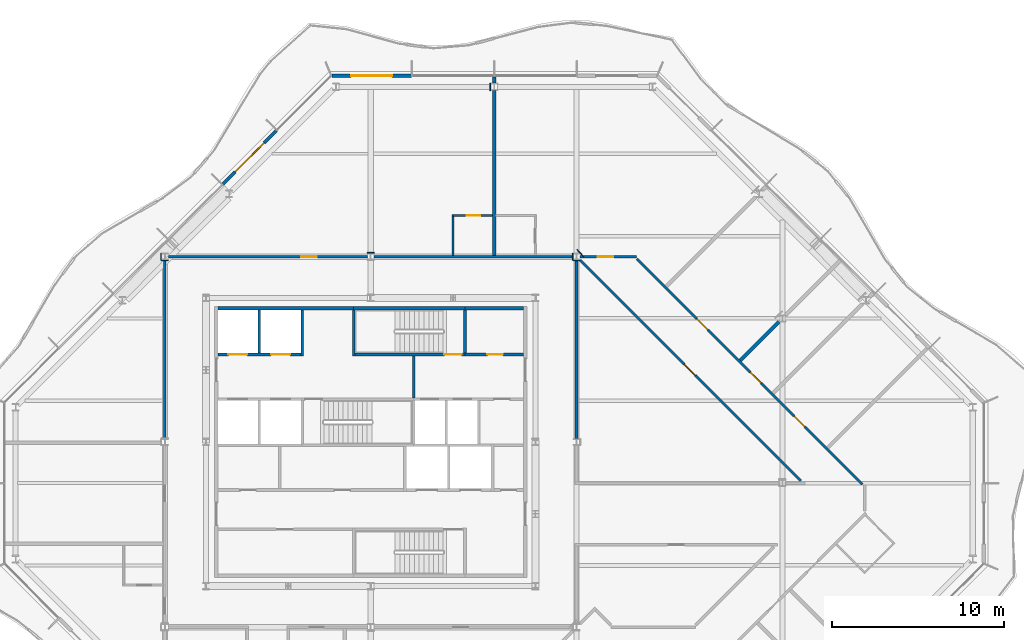
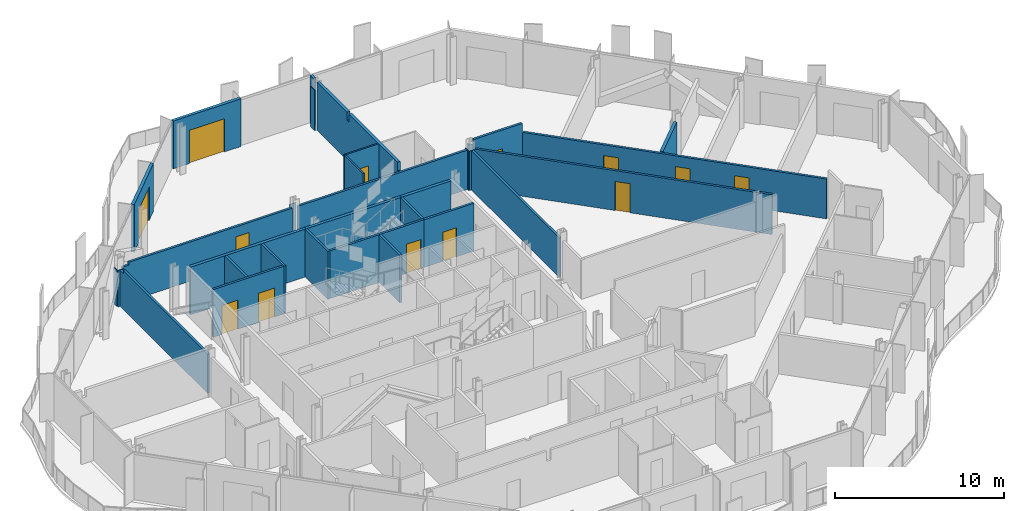
# One storey, part 11 of 17: 32 walls, 13 doors, 13 openings.
"""IFC4 building model written with IfcOpenShell, lengths in metres."""

from ifc_helpers import new_model, si_unit, direction, frame, frame_2d, origin, place, context, subcontext, project, spatial, polyline, rectangle, outline, extrude, material, layer, layer_set, type_object, element, fill, save


model = new_model("IFC4")

# Units and contexts
model_context = context("Model", 3, precision=1e-05, world=origin(), true_north=direction((0.0, 1.0)))
body_context = subcontext(model_context, "Body", "Model", "MODEL_VIEW")
ifc_project = project(units=[si_unit("LENGTHUNIT", "METRE"), si_unit("AREAUNIT", "SQUARE_METRE"), si_unit("VOLUMEUNIT", "CUBIC_METRE"), si_unit("PLANEANGLEUNIT", "RADIAN"), si_unit("MASSUNIT", "GRAM", prefix="KILO")], contexts=[model_context])

# Site, building, storey
site_placement = place(None, origin())
site = spatial("IfcSite", under=ifc_project, at=site_placement, CompositionType="ELEMENT")
building_placement = place(site_placement, origin())
building = spatial("IfcBuilding", under=site, at=building_placement, Name="Cairn Pilgrim Tower", CompositionType="ELEMENT")
storey_placement = place(building_placement, frame((0.0, 0.0, 214.199951171875)))
storey = spatial("IfcBuildingStorey", under=building, at=storey_placement, Name="L54", CompositionType="ELEMENT", Elevation=214.199951171875)

# Wall, opening, door
ifc_material_1 = material(Name="Bronze anodised aluminium insulated sandwich panel with mineral wool fill", Category="aluminium")
ifc_layer_1 = layer(ifc_material_1, 0.199951171875)
ifc_layer_set_1 = layer_set([ifc_layer_1], Name="BRONZE INFILL FRAME WALL 200")
wall_type_1 = type_object("IfcWallType", Name="BRONZE INFILL FRAME WALL 200", PredefinedType="NOTDEFINED", material=ifc_layer_set_1)
wall_1_placement = place(storey_placement, frame((9.570068359375, 23.75, 0.0), z_axis=(0.0, 0.0, 1.0), x_axis=(-1.0, 0.0, 0.0)))
wall_1 = element("IfcWall", 1, at=wall_1_placement, inside=storey, type_object=wall_type_1, Name="Bronze infill frame wall IW-N4", PredefinedType="NOTDEFINED", context=body_context, shape_type="SweptSolid", body=[
    extrude(rectangle(XDim=4.62646484375, YDim=0.199951171875, at=frame_2d((2.313232421875, 0.0))), origin(), (0.0, 0.0, 1.0), 3.449951171875),
])
opening_1_placement = place(wall_1_placement, frame((1.117919921875, 0.0, 0.0)))
opening_1 = element("IfcOpeningElement", 2, at=opening_1_placement, cuts=wall_1, Name="Opening 5409B", PredefinedType="OPENING", context=body_context, shape_type="SweptSolid", body=[
    extrude(rectangle(XDim=2.39990234375, YDim=2.39990234375, at=frame_2d((1.199951171875, 1.199951171875))), frame((0.0, 0.10986328125, 0.0), z_axis=(0.0, -1.0, 0.0), x_axis=(1.0, 0.0, 0.0)), (0.0, 0.0, 1.0), 0.219970703125),
])
ifc_material_2 = material(Name="Bronze anodised aluminium frame with tinted low-E glass", Category="aluminium")
door_type_1 = type_object("IfcDoorType", Name="BALCONY SLIDING DOOR 2400x2400", OperationType="DOUBLE_DOOR_SLIDING", PredefinedType="DOOR", material=ifc_material_2)
door_1_placement = place(opening_1_placement, origin())
door_1 = element("IfcDoor", 3, at=door_1_placement, inside=storey, type_object=door_type_1, Name="Balcony sliding door 5409B", OperationType="SINGLE_SWING_LEFT", OverallHeight=2.39990234375, OverallWidth=2.39990234375, PredefinedType="DOOR", context=body_context, shape_type="SweptSolid", body=[
    extrude(rectangle(XDim=2.39990234375, YDim=2.39990234375, at=frame_2d((1.199951171875, 1.199951171875))), frame((0.0, 0.02490234375, 0.0), z_axis=(0.0, -1.0, 0.0), x_axis=(1.0, 0.0, 0.0)), (0.0, 0.0, 1.0), 0.050048828125),
])
fill(opening_1, door_1)

wall_2_placement = place(storey_placement, frame((1.706787109375, 20.55322265625, 0.0), z_axis=(0.0, 0.0, 1.0), x_axis=(-0.707106781187, -0.707106781187, 0.0)))
wall_2 = element("IfcWall", 4, at=wall_2_placement, inside=storey, type_object=wall_type_1, Name="Bronze infill frame wall IW-NW2", PredefinedType="NOTDEFINED", context=body_context, shape_type="SweptSolid", body=[
    extrude(rectangle(XDim=4.43115234375, YDim=0.199951171875, at=frame_2d((2.215576171875, 0.0))), origin(), (0.0, 0.0, 1.0), 3.449951171875),
])
opening_2_placement = place(wall_2_placement, frame((1.015380859375, 0.0, 0.0)))
opening_2 = element("IfcOpeningElement", 5, at=opening_2_placement, cuts=wall_2, Name="Opening 5409B2", PredefinedType="OPENING", context=body_context, shape_type="SweptSolid", body=[
    extrude(rectangle(XDim=2.39990234375, YDim=2.39990234375, at=frame_2d((1.199951171875, 1.199951171875))), frame((0.0, 0.10986328125, 0.0), z_axis=(0.0, -1.0, 0.0), x_axis=(1.0, 0.0, 0.0)), (0.0, 0.0, 1.0), 0.219970703125),
])
door_2_placement = place(opening_2_placement, origin())
door_2 = element("IfcDoor", 6, at=door_2_placement, inside=storey, type_object=door_type_1, Name="Balcony sliding door 5409B2", OperationType="SINGLE_SWING_LEFT", OverallHeight=2.39990234375, OverallWidth=2.39990234375, PredefinedType="DOOR", context=body_context, shape_type="SweptSolid", body=[
    extrude(rectangle(XDim=2.39990234375, YDim=2.39990234375, at=frame_2d((1.199951171875, 1.199951171875))), frame((0.0, 0.02490234375, 0.0), z_axis=(0.0, -1.0, 0.0), x_axis=(1.0, 0.0, 0.0)), (0.0, 0.0, 1.0), 0.050048828125),
])
fill(opening_2, door_2)

# Walls
ifc_material_3 = material(Name="Concrete C32/40", Category="concrete")
ifc_layer_2 = layer(ifc_material_3, 0.199951171875)
ifc_layer_set_2 = layer_set([ifc_layer_2], Name="CORE OUTER WALL 200 EI 120")
wall_type_2 = type_object("IfcWallType", Name="CORE OUTER WALL 200 EI 120", PredefinedType="SOLIDWALL", material=ifc_layer_set_2)
wall_3_placement = place(storey_placement, frame((-1.699951171875, 10.199951171875, 0.0), z_axis=(0.0, 0.0, 1.0), x_axis=(1.0, 0.0, 0.0)))
element("IfcWall", 7, at=wall_3_placement, inside=storey, type_object=wall_type_2, Name="CW:L54:H12-1", PredefinedType="SOLIDWALL", context=body_context, shape_type="SweptSolid", body=[
    extrude(rectangle(XDim=7.89990234375, YDim=0.199951171875, at=frame_2d((3.949951171875, 0.0))), origin(), (0.0, 0.0, 1.0), 3.449951171875),
])
wall_4_placement = place(storey_placement, frame((12.699951171875, 10.199951171875, 0.0), z_axis=(0.0, 0.0, 1.0), x_axis=(1.0, 0.0, 0.0)))
element("IfcWall", 8, at=wall_4_placement, inside=storey, type_object=wall_type_2, Name="CW:L54:H12-3", PredefinedType="SOLIDWALL", context=body_context, shape_type="SweptSolid", body=[
    extrude(rectangle(XDim=3.400146484375, YDim=0.199951171875, at=frame_2d((1.7001953125, 0.0))), origin(), (0.0, 0.0, 1.0), 3.449951171875),
])

# Wall, openings, doors
ifc_layer_3 = layer(ifc_material_3, 0.14990234375)
ifc_layer_set_3 = layer_set([ifc_layer_3], Name="CORE SHAFT WALL 150 EI 120")
wall_type_3 = type_object("IfcWallType", Name="CORE SHAFT WALL 150 EI 120", PredefinedType="SOLIDWALL", material=ifc_layer_set_3)
wall_5_placement = place(storey_placement, frame((-1.699951171875, 7.5, 0.0), z_axis=(0.0, 0.0, 1.0), x_axis=(1.0, 0.0, 0.0)))
wall_5 = element("IfcWall", 9, at=wall_5_placement, inside=storey, type_object=wall_type_3, Name="CW:L54:H10", PredefinedType="SOLIDWALL", context=body_context, shape_type="SweptSolid", body=[
    extrude(rectangle(XDim=4.824951171875, YDim=0.14990234375, at=frame_2d((2.41259765625, 0.0))), origin(), (0.0, 0.0, 1.0), 3.449951171875),
])
opening_3_placement = place(wall_5_placement, frame((0.60009765625, 0.0, 0.0)))
opening_3 = element("IfcOpeningElement", 10, at=opening_3_placement, cuts=wall_5, Name="Opening LD-HR3", PredefinedType="OPENING", context=body_context, shape_type="SweptSolid", body=[
    extrude(rectangle(XDim=1.10009765625, YDim=2.10009765625, at=frame_2d((0.550048828125, 1.050048828125))), frame((0.0, 0.0849609375, 0.0), z_axis=(0.0, -1.0, 0.0), x_axis=(1.0, 0.0, 0.0)), (0.0, 0.0, 1.0), 0.169921875),
])
opening_4_placement = place(wall_5_placement, frame((3.10009765625, 0.0, 0.0)))
opening_4 = element("IfcOpeningElement", 11, at=opening_4_placement, cuts=wall_5, Name="Opening LD-HR4", PredefinedType="OPENING", context=body_context, shape_type="SweptSolid", body=[
    extrude(rectangle(XDim=1.10009765625, YDim=2.10009765625, at=frame_2d((0.550048828125, 1.050048828125))), frame((0.0, 0.0849609375, 0.0), z_axis=(0.0, -1.0, 0.0), x_axis=(1.0, 0.0, 0.0)), (0.0, 0.0, 1.0), 0.169921875),
])
ifc_material_4 = material(Name="Stainless steel", Category="steel")
door_type_2 = type_object("IfcDoorType", Name="LIFT LANDING DOOR 1100x2100", OperationType="DOUBLE_DOOR_SLIDING", PredefinedType="DOOR", material=ifc_material_4)
door_3_placement = place(opening_3_placement, origin())
door_3 = element("IfcDoor", 12, at=door_3_placement, inside=storey, type_object=door_type_2, Name="LANDING DOOR HR3", OperationType="DOUBLE_DOOR_SLIDING", OverallHeight=2.10009765625, OverallWidth=1.10009765625, PredefinedType="DOOR", context=body_context, shape_type="SweptSolid", body=[
    extrude(rectangle(XDim=1.10009765625, YDim=2.10009765625, at=frame_2d((0.550048828125, 1.050048828125))), frame((0.0, 0.02490234375, 0.0), z_axis=(0.0, -1.0, 0.0), x_axis=(1.0, 0.0, 0.0)), (0.0, 0.0, 1.0), 0.050048828125),
])
fill(opening_3, door_3)
door_4_placement = place(opening_4_placement, origin())
door_4 = element("IfcDoor", 13, at=door_4_placement, inside=storey, type_object=door_type_2, Name="LANDING DOOR HR4", OperationType="DOUBLE_DOOR_SLIDING", OverallHeight=2.10009765625, OverallWidth=1.10009765625, PredefinedType="DOOR", context=body_context, shape_type="SweptSolid", body=[
    extrude(rectangle(XDim=1.10009765625, YDim=2.10009765625, at=frame_2d((0.550048828125, 1.050048828125))), frame((0.0, 0.02490234375, 0.0), z_axis=(0.0, -1.0, 0.0), x_axis=(1.0, 0.0, 0.0)), (0.0, 0.0, 1.0), 0.050048828125),
])
fill(opening_4, door_4)

# Wall, opening, door
wall_6_placement = place(storey_placement, frame((12.699951171875, 7.5, 0.0), z_axis=(0.0, 0.0, 1.0), x_axis=(1.0, 0.0, 0.0)))
wall_6 = element("IfcWall", 14, at=wall_6_placement, inside=storey, type_object=wall_type_3, Name="CW:L54:H11-2", PredefinedType="SOLIDWALL", context=body_context, shape_type="SweptSolid", body=[
    extrude(rectangle(XDim=3.400146484375, YDim=0.14990234375, at=frame_2d((1.7001953125, 0.0))), origin(), (0.0, 0.0, 1.0), 3.449951171875),
])
opening_5_placement = place(wall_6_placement, frame((1.300048828125, 0.0, 0.0)))
opening_5 = element("IfcOpeningElement", 15, at=opening_5_placement, cuts=wall_6, Name="Opening RD-R4E", PredefinedType="OPENING", context=body_context, shape_type="SweptSolid", body=[
    extrude(rectangle(XDim=0.89990234375, YDim=2.10009765625, at=frame_2d((0.449951171875, 1.050048828125))), frame((0.0, 0.0849609375, 0.0), z_axis=(0.0, -1.0, 0.0), x_axis=(1.0, 0.0, 0.0)), (0.0, 0.0, 1.0), 0.169921875),
])
ifc_material_5 = material(Name="Painted steel", Category="steel")
door_type_3 = type_object("IfcDoorType", Name="SERVICE ROOM DOOR 900x2100", OperationType="SINGLE_SWING_LEFT", PredefinedType="DOOR", material=ifc_material_5)
door_5_placement = place(opening_5_placement, origin())
door_5 = element("IfcDoor", 16, at=door_5_placement, inside=storey, type_object=door_type_3, Name="RD-R4E", OperationType="SINGLE_SWING_RIGHT", OverallHeight=2.10009765625, OverallWidth=0.89990234375, PredefinedType="DOOR", context=body_context, shape_type="SweptSolid", body=[
    extrude(rectangle(XDim=0.89990234375, YDim=2.10009765625, at=frame_2d((0.449951171875, 1.050048828125))), frame((0.0, 0.02490234375, 0.0), z_axis=(0.0, -1.0, 0.0), x_axis=(1.0, 0.0, 0.0)), (0.0, 0.0, 1.0), 0.050048828125),
])
fill(opening_5, door_5)

# Walls
wall_7_placement = place(storey_placement, frame((0.699951171875, 7.574951171875, 0.0), z_axis=(0.0, 0.0, 1.0), x_axis=(0.0, 1.0, 0.0)))
element("IfcWall", 17, at=wall_7_placement, inside=storey, type_object=wall_type_3, Name="CW:L54:V15", PredefinedType="SOLIDWALL", context=body_context, shape_type="SweptSolid", body=[
    extrude(rectangle(XDim=2.525146484375, YDim=0.14990234375, at=frame_2d((1.2626953125, 0.0))), origin(), (0.0, 0.0, 1.0), 3.449951171875),
])
wall_8_placement = place(storey_placement, frame((3.199951171875, 7.425048828125, 0.0), z_axis=(0.0, 0.0, 1.0), x_axis=(0.0, 1.0, 0.0)))
element("IfcWall", 18, at=wall_8_placement, inside=storey, type_object=wall_type_3, Name="CW:L54:V18", PredefinedType="SOLIDWALL", context=body_context, shape_type="SweptSolid", body=[
    extrude(rectangle(XDim=2.675048828125, YDim=0.14990234375, at=frame_2d((1.33740234375, 0.0))), origin(), (0.0, 0.0, 1.0), 3.449951171875),
])
wall_9_placement = place(storey_placement, frame((9.699951171875, 4.97509765625, 0.0), z_axis=(0.0, 0.0, 1.0), x_axis=(0.0, 1.0, 0.0)))
element("IfcWall", 19, at=wall_9_placement, inside=storey, type_object=wall_type_3, Name="CW:L54:V23", PredefinedType="SOLIDWALL", context=body_context, shape_type="SweptSolid", body=[
    extrude(rectangle(XDim=2.449951171875, YDim=0.14990234375, at=frame_2d((1.22509765625, 0.0))), origin(), (0.0, 0.0, 1.0), 3.449951171875),
])
ifc_material_6 = material(Name="Gypsum partition")
ifc_layer_4 = layer(ifc_material_6, 0.10009765625)
ifc_layer_set_4 = layer_set([ifc_layer_4], Name="PARTITION 100 DRYWALL")
wall_type_4 = type_object("IfcWallType", Name="PARTITION 100 DRYWALL", PredefinedType="PARTITIONING", material=ifc_layer_set_4)
wall_10_placement = place(storey_placement, frame((12.0, 13.27490234375, 0.0), z_axis=(0.0, 0.0, 1.0), x_axis=(0.0, 1.0, 0.0)))
element("IfcWall", 20, at=wall_10_placement, inside=storey, type_object=wall_type_4, Name="PARTITION W069", PredefinedType="PARTITIONING", context=body_context, shape_type="SweptSolid", body=[
    extrude(outline(polyline([(0.0, 0.0), (2.275146484375, 0.0), (2.27490234375, 3.449951171875), (0.074951171875, 3.449951171875), (0.072998046875, 2.830078125), (0.0, 2.830078125), (0.0, 0.0)])), frame((0.0, 0.050048828125, 0.0), z_axis=(0.0, -1.0, 0.0), x_axis=(1.0, 0.0, 0.0)), (0.0, 0.0, 1.0), 0.10009765625),
])

# Wall, opening, door
wall_11_placement = place(storey_placement, frame((11.949951171875, 15.60009765625, 0.0), z_axis=(0.0, 0.0, 1.0), x_axis=(1.0, 0.0, 0.0)))
wall_11 = element("IfcWall", 21, at=wall_11_placement, inside=storey, type_object=wall_type_4, Name="PARTITION W072", PredefinedType="PARTITIONING", context=body_context, shape_type="SweptSolid", body=[
    extrude(rectangle(XDim=2.35009765625, YDim=0.10009765625, at=frame_2d((1.175048828125, 0.0))), origin(), (0.0, 0.0, 1.0), 3.449951171875),
])
opening_6_placement = place(wall_11_placement, frame((0.85009765625, 0.0, 0.0)))
opening_6 = element("IfcOpeningElement", 22, at=opening_6_placement, cuts=wall_11, Name="Opening 5409A", PredefinedType="OPENING", context=body_context, shape_type="SweptSolid", body=[
    extrude(rectangle(XDim=0.800048828125, YDim=2.10009765625, at=frame_2d((0.39990234375, 1.050048828125))), frame((0.0, 0.06005859375, 0.0), z_axis=(0.0, -1.0, 0.0), x_axis=(1.0, 0.0, 0.0)), (0.0, 0.0, 1.0), 0.1201171875),
])
ifc_material_7 = material(Name="Timber door leaf", Category="wood")
door_type_4 = type_object("IfcDoorType", Name="WC DOOR 800x2100", OperationType="NOTDEFINED", PredefinedType="DOOR", material=ifc_material_7)
door_6_placement = place(opening_6_placement, origin())
door_6 = element("IfcDoor", 23, at=door_6_placement, inside=storey, type_object=door_type_4, Name="DOOR 5409A", OperationType="SINGLE_SWING_LEFT", OverallHeight=2.10009765625, OverallWidth=0.800048828125, PredefinedType="DOOR", context=body_context, shape_type="SweptSolid", body=[
    extrude(rectangle(XDim=0.800048828125, YDim=2.10009765625, at=frame_2d((0.39990234375, 1.050048828125))), frame((0.0, 0.02490234375, 0.0), z_axis=(0.0, -1.0, 0.0), x_axis=(1.0, 0.0, 0.0)), (0.0, 0.0, 1.0), 0.050048828125),
])
fill(opening_6, door_6)

# Wall, openings, doors
ifc_layer_5 = layer(ifc_material_6, 0.14990234375)
ifc_layer_set_5 = layer_set([ifc_layer_5], Name="PARTITION 150 DRYWALL EI 60")
wall_type_5 = type_object("IfcWallType", Name="PARTITION 150 DRYWALL EI 60", PredefinedType="PARTITIONING", material=ifc_layer_set_5)
wall_12_placement = place(storey_placement, frame((35.8720703125, -0.077880859375, 0.0), z_axis=(0.0, 0.0, 1.0), x_axis=(-0.707113345155, 0.707100217157, 0.0)))
wall_12 = element("IfcWall", 24, at=wall_12_placement, inside=storey, type_object=wall_type_5, Name="PARTITION W052", PredefinedType="PARTITIONING", context=body_context, shape_type="SweptSolid", body=[
    extrude(rectangle(XDim=18.596923828125, YDim=0.14990234375, at=frame_2d((9.29833984375, 0.0))), origin(), (0.0, 0.0, 1.0), 2.880126953125),
])
opening_7_placement = place(wall_12_placement, frame((4.743896484375, 0.0, 0.0)))
opening_7 = element("IfcOpeningElement", 25, at=opening_7_placement, cuts=wall_12, Name="Opening 5405", PredefinedType="OPENING", context=body_context, shape_type="SweptSolid", body=[
    extrude(rectangle(XDim=0.89990234375, YDim=2.10009765625, at=frame_2d((0.449951171875, 1.050048828125))), frame((0.0, 0.0849609375, 0.0), z_axis=(0.0, -1.0, 0.0), x_axis=(1.0, 0.0, 0.0)), (0.0, 0.0, 1.0), 0.169921875),
])
opening_8_placement = place(wall_12_placement, frame((8.344970703125, 0.0, 0.0)))
opening_8 = element("IfcOpeningElement", 26, at=opening_8_placement, cuts=wall_12, Name="Opening 5406", PredefinedType="OPENING", context=body_context, shape_type="SweptSolid", body=[
    extrude(rectangle(XDim=0.89990234375, YDim=2.10009765625, at=frame_2d((0.449951171875, 1.050048828125))), frame((0.0, 0.0849609375, 0.0), z_axis=(0.0, -1.0, 0.0), x_axis=(1.0, 0.0, 0.0)), (0.0, 0.0, 1.0), 0.169921875),
])
opening_9_placement = place(wall_12_placement, frame((12.74609375, 0.0, 0.0)))
opening_9 = element("IfcOpeningElement", 27, at=opening_9_placement, cuts=wall_12, Name="Opening 5407", PredefinedType="OPENING", context=body_context, shape_type="SweptSolid", body=[
    extrude(rectangle(XDim=0.89990234375, YDim=2.10009765625, at=frame_2d((0.449951171875, 1.050048828125))), frame((0.0, 0.0849609375, 0.0), z_axis=(0.0, -1.0, 0.0), x_axis=(1.0, 0.0, 0.0)), (0.0, 0.0, 1.0), 0.169921875),
])
door_type_5 = type_object("IfcDoorType", Name="SERVICE DOOR 900x2100 FD30S", OperationType="NOTDEFINED", PredefinedType="DOOR", material=ifc_material_7)
door_7_placement = place(opening_7_placement, frame((0.89990234375, 0.0, 0.0), z_axis=(0.0, 0.0, 1.0), x_axis=(-1.0, 0.0, 0.0)))
door_7 = element("IfcDoor", 28, at=door_7_placement, inside=storey, type_object=door_type_5, Name="DOOR 5405", OperationType="SINGLE_SWING_LEFT", OverallHeight=2.10009765625, OverallWidth=0.89990234375, PredefinedType="DOOR", context=body_context, shape_type="SweptSolid", body=[
    extrude(rectangle(XDim=0.89990234375, YDim=2.10009765625, at=frame_2d((0.449951171875, 1.050048828125))), frame((0.0, 0.02490234375, 0.0), z_axis=(0.0, -1.0, 0.0), x_axis=(1.0, 0.0, 0.0)), (0.0, 0.0, 1.0), 0.050048828125),
])
fill(opening_7, door_7)
door_8_placement = place(opening_8_placement, frame((0.89990234375, 0.0, 0.0), z_axis=(0.0, 0.0, 1.0), x_axis=(-1.0, 0.0, 0.0)))
door_8 = element("IfcDoor", 29, at=door_8_placement, inside=storey, type_object=door_type_5, Name="DOOR 5406", OperationType="SINGLE_SWING_LEFT", OverallHeight=2.10009765625, OverallWidth=0.89990234375, PredefinedType="DOOR", context=body_context, shape_type="SweptSolid", body=[
    extrude(rectangle(XDim=0.89990234375, YDim=2.10009765625, at=frame_2d((0.449951171875, 1.050048828125))), frame((0.0, 0.02490234375, 0.0), z_axis=(0.0, -1.0, 0.0), x_axis=(1.0, 0.0, 0.0)), (0.0, 0.0, 1.0), 0.050048828125),
])
fill(opening_8, door_8)
door_9_placement = place(opening_9_placement, frame((0.89990234375, 0.0, 0.0), z_axis=(0.0, 0.0, 1.0), x_axis=(-1.0, 0.0, 0.0)))
door_9 = element("IfcDoor", 30, at=door_9_placement, inside=storey, type_object=door_type_5, Name="DOOR 5407", OperationType="SINGLE_SWING_LEFT", OverallHeight=2.10009765625, OverallWidth=0.89990234375, PredefinedType="DOOR", context=body_context, shape_type="SweptSolid", body=[
    extrude(rectangle(XDim=0.89990234375, YDim=2.10009765625, at=frame_2d((0.449951171875, 1.050048828125))), frame((0.0, 0.02490234375, 0.0), z_axis=(0.0, -1.0, 0.0), x_axis=(1.0, 0.0, 0.0)), (0.0, 0.0, 1.0), 0.050048828125),
])
fill(opening_9, door_9)

# Wall, opening, door
wall_13_placement = place(storey_placement, frame((32.27197265625, 0.1279296875, 0.0), z_axis=(0.0, 0.0, 1.0), x_axis=(-0.707106781187, 0.707106781187, 0.0)))
wall_13 = element("IfcWall", 31, at=wall_13_placement, inside=storey, type_object=wall_type_5, Name="PARTITION W056", PredefinedType="PARTITIONING", context=body_context, shape_type="SweptSolid", body=[
    extrude(rectangle(XDim=18.20654296875, YDim=0.14990234375, at=frame_2d((9.103271484375, 0.0))), origin(), (0.0, 0.0, 1.0), 2.880126953125),
])
opening_10_placement = place(wall_13_placement, frame((8.702880859375, 0.0, 0.0)))
opening_10 = element("IfcOpeningElement", 32, at=opening_10_placement, cuts=wall_13, Name="Opening 5419", PredefinedType="OPENING", context=body_context, shape_type="SweptSolid", body=[
    extrude(rectangle(XDim=0.89990234375, YDim=2.10009765625, at=frame_2d((0.449951171875, 1.050048828125))), frame((0.0, 0.0849609375, 0.0), z_axis=(0.0, -1.0, 0.0), x_axis=(1.0, 0.0, 0.0)), (0.0, 0.0, 1.0), 0.169921875),
])
door_10_placement = place(opening_10_placement, origin())
door_10 = element("IfcDoor", 33, at=door_10_placement, inside=storey, type_object=door_type_5, Name="DOOR 5419", OperationType="SINGLE_SWING_RIGHT", OverallHeight=2.10009765625, OverallWidth=0.89990234375, PredefinedType="DOOR", context=body_context, shape_type="SweptSolid", body=[
    extrude(rectangle(XDim=0.89990234375, YDim=2.10009765625, at=frame_2d((0.449951171875, 1.050048828125))), frame((0.0, 0.02490234375, 0.0), z_axis=(0.0, -1.0, 0.0), x_axis=(1.0, 0.0, 0.0)), (0.0, 0.0, 1.0), 0.050048828125),
])
fill(opening_10, door_10)

# Walls
wall_14_placement = place(storey_placement, frame((-4.800048828125, 2.596435546875, 0.0), z_axis=(0.0, 0.0, 1.0), x_axis=(0.0, 1.0, 0.0)))
element("IfcWall", 34, at=wall_14_placement, inside=storey, type_object=wall_type_5, Name="PARTITION W059", PredefinedType="PARTITIONING", context=body_context, shape_type="SweptSolid", body=[
    extrude(outline(polyline([(0.0, 0.0), (10.406982421875, 0.0), (10.406982421875, 2.630126953125), (9.960693359375, 2.630126953125), (9.958740234375, 2.830078125), (0.0, 2.830078125), (0.0, 0.0)])), frame((0.0, 0.074951171875, 0.0), z_axis=(0.0, -1.0, 0.0), x_axis=(1.0, 0.0, 0.0)), (0.0, 0.0, 1.0), 0.14990234375),
])
wall_15_placement = place(storey_placement, frame((19.199951171875, 2.596435546875, 0.0), z_axis=(0.0, 0.0, 1.0), x_axis=(0.0, 1.0, 0.0)))
element("IfcWall", 35, at=wall_15_placement, inside=storey, type_object=wall_type_5, Name="PARTITION W060", PredefinedType="PARTITIONING", context=body_context, shape_type="SweptSolid", body=[
    extrude(rectangle(XDim=10.406982421875, YDim=0.14990234375, at=frame_2d((5.20361328125, 0.0))), origin(), (0.0, 0.0, 1.0), 2.830078125),
])

# Wall, opening, door
wall_16_placement = place(storey_placement, frame((-4.6005859375, 13.199951171875, 0.0), z_axis=(0.0, 0.0, 1.0), x_axis=(1.0, 0.0, 0.0)))
wall_16 = element("IfcWall", 36, at=wall_16_placement, inside=storey, type_object=wall_type_5, Name="PARTITION W066", PredefinedType="PARTITIONING", context=body_context, shape_type="SweptSolid", body=[
    extrude(outline(polyline([(0.0, 0.0), (11.60107421875, 0.0), (11.60107421875, 2.830078125), (0.443359375, 2.830078125), (0.44140625, 2.630126953125), (0.0, 2.630126953125), (0.0, 0.0)])), frame((0.0, 0.074951171875, 0.0), z_axis=(0.0, -1.0, 0.0), x_axis=(1.0, 0.0, 0.0)), (0.0, 0.0, 1.0), 0.14990234375),
])
opening_11_placement = place(wall_16_placement, frame((7.75048828125, 0.0, 0.0)))
opening_11 = element("IfcOpeningElement", 37, at=opening_11_placement, cuts=wall_16, Name="Opening 5409", PredefinedType="OPENING", context=body_context, shape_type="SweptSolid", body=[
    extrude(rectangle(XDim=0.89990234375, YDim=2.10009765625, at=frame_2d((0.449951171875, 1.050048828125))), frame((0.0, 0.0849609375, 0.0), z_axis=(0.0, -1.0, 0.0), x_axis=(1.0, 0.0, 0.0)), (0.0, 0.0, 1.0), 0.169921875),
])
door_type_6 = type_object("IfcDoorType", Name="ROOM DOOR 900x2100 FD30S", OperationType="NOTDEFINED", PredefinedType="DOOR", material=ifc_material_7)
door_11_placement = place(opening_11_placement, origin())
door_11 = element("IfcDoor", 38, at=door_11_placement, inside=storey, type_object=door_type_6, Name="DOOR 5409", OperationType="SINGLE_SWING_LEFT", OverallHeight=2.10009765625, OverallWidth=0.89990234375, PredefinedType="DOOR", context=body_context, shape_type="SweptSolid", body=[
    extrude(rectangle(XDim=0.89990234375, YDim=2.10009765625, at=frame_2d((0.449951171875, 1.050048828125))), frame((0.0, 0.02490234375, 0.0), z_axis=(0.0, -1.0, 0.0), x_axis=(1.0, 0.0, 0.0)), (0.0, 0.0, 1.0), 0.050048828125),
])
fill(opening_11, door_11)

# Wall
wall_17_placement = place(storey_placement, frame((7.3994140625, 13.199951171875, 0.0), z_axis=(0.0, 0.0, 1.0), x_axis=(1.0, 0.0, 0.0)))
element("IfcWall", 39, at=wall_17_placement, inside=storey, type_object=wall_type_5, Name="PARTITION W067", PredefinedType="PARTITIONING", context=body_context, shape_type="SweptSolid", body=[
    extrude(rectangle(XDim=11.60107421875, YDim=0.14990234375, at=frame_2d((5.800537109375, 0.0))), origin(), (0.0, 0.0, 1.0), 2.830078125),
])

# Wall, opening, door
wall_18_placement = place(storey_placement, frame((19.3994140625, 13.199951171875, 0.0), z_axis=(0.0, 0.0, 1.0), x_axis=(1.0, 0.0, 0.0)))
wall_18 = element("IfcWall", 40, at=wall_18_placement, inside=storey, type_object=wall_type_5, Name="PARTITION W068", PredefinedType="PARTITIONING", context=body_context, shape_type="SweptSolid", body=[
    extrude(rectangle(XDim=3.30078125, YDim=0.14990234375, at=frame_2d((1.650390625, 0.0))), origin(), (0.0, 0.0, 1.0), 3.449951171875),
])
opening_12_placement = place(wall_18_placement, frame((1.047607421875, 0.0, 0.0)))
opening_12 = element("IfcOpeningElement", 41, at=opening_12_placement, cuts=wall_18, Name="Opening 5408", PredefinedType="OPENING", context=body_context, shape_type="SweptSolid", body=[
    extrude(rectangle(XDim=0.89990234375, YDim=2.10009765625, at=frame_2d((0.449951171875, 1.050048828125))), frame((0.0, 0.0849609375, 0.0), z_axis=(0.0, -1.0, 0.0), x_axis=(1.0, 0.0, 0.0)), (0.0, 0.0, 1.0), 0.169921875),
])
door_12_placement = place(opening_12_placement, origin())
door_12 = element("IfcDoor", 42, at=door_12_placement, inside=storey, type_object=door_type_6, Name="DOOR 5408", OperationType="SINGLE_SWING_LEFT", OverallHeight=2.10009765625, OverallWidth=0.89990234375, PredefinedType="DOOR", context=body_context, shape_type="SweptSolid", body=[
    extrude(rectangle(XDim=0.89990234375, YDim=2.10009765625, at=frame_2d((0.449951171875, 1.050048828125))), frame((0.0, 0.02490234375, 0.0), z_axis=(0.0, -1.0, 0.0), x_axis=(1.0, 0.0, 0.0)), (0.0, 0.0, 1.0), 0.050048828125),
])
fill(opening_12, door_12)

# Walls
ifc_layer_6 = layer(ifc_material_6, 0.050048828125)
ifc_layer_set_6 = layer_set([ifc_layer_6], Name="PARTITION 50 DRYWALL EI 60")
wall_type_6 = type_object("IfcWallType", Name="PARTITION 50 DRYWALL EI 60", PredefinedType="PARTITIONING", material=ifc_layer_set_6)
wall_19_placement = place(storey_placement, frame((-5.0244140625, 13.00341796875, 0.0), z_axis=(0.0, 0.0, 1.0), x_axis=(0.0, 1.0, 0.0)))
element("IfcWall", 43, at=wall_19_placement, inside=storey, type_object=wall_type_6, Name="COLUMN CASING WC09", PredefinedType="PARTITIONING", context=body_context, shape_type="SweptSolid", body=[
    extrude(rectangle(XDim=0.39306640625, YDim=0.050048828125, at=frame_2d((0.196533203125, 0.0))), origin(), (0.0, 0.0, 1.0), 2.630126953125),
])
wall_20_placement = place(storey_placement, frame((18.9755859375, 13.00341796875, 0.0), z_axis=(0.0, 0.0, 1.0), x_axis=(0.0, 1.0, 0.0)))
element("IfcWall", 44, at=wall_20_placement, inside=storey, type_object=wall_type_6, Name="COLUMN CASING WC16", PredefinedType="PARTITIONING", context=body_context, shape_type="SweptSolid", body=[
    extrude(rectangle(XDim=0.39306640625, YDim=0.050048828125, at=frame_2d((0.196533203125, 0.0))), origin(), (0.0, 0.0, 1.0), 2.830078125),
])
wall_21_placement = place(storey_placement, frame((19.61376953125, 13.2177734375, 0.0), z_axis=(0.0, 0.0, 1.0), x_axis=(-0.707106781187, 0.707106781187, 0.0)))
element("IfcWall", 45, at=wall_21_placement, inside=storey, type_object=wall_type_6, Name="COLUMN CASING WC17", PredefinedType="PARTITIONING", context=body_context, shape_type="SweptSolid", body=[
    extrude(rectangle(XDim=0.56005859375, YDim=0.050048828125, at=frame_2d((0.280029296875, 0.0))), origin(), (0.0, 0.0, 1.0), 2.929931640625),
])
wall_22_placement = place(storey_placement, frame((-4.99951171875, 12.978515625, 0.0), z_axis=(0.0, 0.0, 1.0), x_axis=(1.0, 0.0, 0.0)))
element("IfcWall", 46, at=wall_22_placement, inside=storey, type_object=wall_type_6, Name="COLUMN CASING WC22", PredefinedType="PARTITIONING", context=body_context, shape_type="SweptSolid", body=[
    extrude(rectangle(XDim=0.39892578125, YDim=0.050048828125, at=frame_2d((0.199462890625, 0.0))), origin(), (0.0, 0.0, 1.0), 2.630126953125),
])
wall_23_placement = place(storey_placement, frame((7.00048828125, 13.42138671875, 0.0), z_axis=(0.0, 0.0, 1.0), x_axis=(1.0, 0.0, 0.0)))
element("IfcWall", 47, at=wall_23_placement, inside=storey, type_object=wall_type_6, Name="COLUMN CASING WC23", PredefinedType="PARTITIONING", context=body_context, shape_type="SweptSolid", body=[
    extrude(rectangle(XDim=0.39892578125, YDim=0.050048828125, at=frame_2d((0.199462890625, 0.0))), origin(), (0.0, 0.0, 1.0), 2.929931640625),
])
wall_24_placement = place(storey_placement, frame((19.00048828125, 12.978515625, 0.0), z_axis=(0.0, 0.0, 1.0), x_axis=(1.0, 0.0, 0.0)))
element("IfcWall", 48, at=wall_24_placement, inside=storey, type_object=wall_type_6, Name="COLUMN CASING WC24", PredefinedType="PARTITIONING", context=body_context, shape_type="SweptSolid", body=[
    extrude(rectangle(XDim=0.39892578125, YDim=0.050048828125, at=frame_2d((0.199462890625, 0.0))), origin(), (0.0, 0.0, 1.0), 2.830078125),
])
wall_25_placement = place(storey_placement, frame((14.1669921875, 22.876953125, 0.0), z_axis=(0.0, 0.0, 1.0), x_axis=(0.0, 1.0, 0.0)))
element("IfcWall", 49, at=wall_25_placement, inside=storey, type_object=wall_type_6, Name="COLUMN CASING WC25", PredefinedType="PARTITIONING", context=body_context, shape_type="SweptSolid", body=[
    extrude(rectangle(XDim=0.446044921875, YDim=0.050048828125, at=frame_2d((0.22314453125, 0.0))), origin(), (0.0, 0.0, 1.0), 2.929931640625),
])
ifc_layer_7 = layer(ifc_material_6, 0.199951171875)
ifc_layer_set_7 = layer_set([ifc_layer_7], Name="SHAFT WALL 200 GYPSUM EI 60")
wall_type_7 = type_object("IfcWallType", Name="SHAFT WALL 200 GYPSUM EI 60", PredefinedType="PARTITIONING", material=ifc_layer_set_7)
wall_26_placement = place(storey_placement, frame((28.75, 7.14990234375, 0.0), z_axis=(0.0, 0.0, 1.0), x_axis=(0.7070684525, 0.707145107796, 0.0)))
element("IfcWall", 50, at=wall_26_placement, inside=storey, type_object=wall_type_7, Name="PARTITION W062", PredefinedType="PARTITIONING", context=body_context, shape_type="SweptSolid", body=[
    extrude(rectangle(XDim=3.184814453125, YDim=0.199951171875, at=frame_2d((1.59228515625, 0.0))), origin(), (0.0, 0.0, 1.0), 2.929931640625),
])
wall_27_placement = place(storey_placement, frame((14.39990234375, 13.27490234375, 0.0), z_axis=(0.0, 0.0, 1.0), x_axis=(0.0, 1.0, 0.0)))
element("IfcWall", 51, at=wall_27_placement, inside=storey, type_object=wall_type_7, Name="PARTITION W070", PredefinedType="PARTITIONING", context=body_context, shape_type="SweptSolid", body=[
    extrude(outline(polyline([(0.0, 0.0), (9.60205078125, 0.0), (9.60205078125, 3.449951171875), (6.030029296875, 3.449951171875), (6.028076171875, 2.880126953125), (5.820068359375, 2.880126953125), (5.818115234375, 3.449951171875), (0.074951171875, 3.449951171875), (0.072998046875, 2.830078125), (0.0, 2.830078125), (0.0, 0.0)])), frame((0.0, 0.10009765625, 0.0), z_axis=(0.0, -1.0, 0.0), x_axis=(1.0, 0.0, 0.0)), (0.0, 0.0, 1.0), 0.199951171875),
])
wall_28_placement = place(storey_placement, frame((14.39990234375, 23.322998046875, 0.0), z_axis=(0.0, 0.0, 1.0), x_axis=(0.0, 1.0, 0.0)))
element("IfcWall", 52, at=wall_28_placement, inside=storey, type_object=wall_type_7, Name="PARTITION W075", PredefinedType="PARTITIONING", context=body_context, shape_type="SweptSolid", body=[
    extrude(rectangle(XDim=0.366943359375, YDim=0.199951171875, at=frame_2d((0.18359375, 0.0))), origin(), (0.0, 0.0, 1.0), 3.449951171875),
])

# Wall, opening, door
ifc_material_8 = material(Name="Concrete C35/45", Category="concrete")
ifc_layer_8 = layer(ifc_material_8, 0.14990234375)
ifc_layer_set_8 = layer_set([ifc_layer_8], Name="STAIR SHAFT WALL 150 EI 120")
wall_type_8 = type_object("IfcWallType", Name="STAIR SHAFT WALL 150 EI 120", PredefinedType="SOLIDWALL", material=ifc_layer_set_8)
wall_29_placement = place(storey_placement, frame((6.27490234375, 7.5, 0.0), z_axis=(0.0, 0.0, 1.0), x_axis=(1.0, 0.0, 0.0)))
wall_29 = element("IfcWall", 53, at=wall_29_placement, inside=storey, type_object=wall_type_8, Name="CW:L54:H11-1", PredefinedType="SOLIDWALL", context=body_context, shape_type="SweptSolid", body=[
    extrude(rectangle(XDim=6.425048828125, YDim=0.14990234375, at=frame_2d((3.21240234375, 0.0))), origin(), (0.0, 0.0, 1.0), 3.449951171875),
])
opening_13_placement = place(wall_29_placement, frame((5.22509765625, 0.0, 0.0)))
opening_13 = element("IfcOpeningElement", 54, at=opening_13_placement, cuts=wall_29, Name="Opening SD-C", PredefinedType="OPENING", context=body_context, shape_type="SweptSolid", body=[
    extrude(rectangle(XDim=1.0, YDim=2.10009765625, at=frame_2d((0.5, 1.050048828125))), frame((0.0, 0.0849609375, 0.0), z_axis=(0.0, -1.0, 0.0), x_axis=(1.0, 0.0, 0.0)), (0.0, 0.0, 1.0), 0.169921875),
])
door_type_7 = type_object("IfcDoorType", Name="STAIR DOOR FD60S 1000x2100", OperationType="SINGLE_SWING_LEFT", PredefinedType="DOOR", material=ifc_material_5)
door_13_placement = place(opening_13_placement, origin())
door_13 = element("IfcDoor", 55, at=door_13_placement, inside=storey, type_object=door_type_7, Name="SD-C", OperationType="SINGLE_SWING_LEFT", OverallHeight=2.10009765625, OverallWidth=1.0, PredefinedType="DOOR", context=body_context, shape_type="SweptSolid", body=[
    extrude(rectangle(XDim=1.0, YDim=2.10009765625, at=frame_2d((0.5, 1.050048828125))), frame((0.0, 0.02490234375, 0.0), z_axis=(0.0, -1.0, 0.0), x_axis=(1.0, 0.0, 0.0)), (0.0, 0.0, 1.0), 0.050048828125),
])
fill(opening_13, door_13)

# Walls
wall_30_placement = place(storey_placement, frame((6.199951171875, 7.425048828125, 0.0), z_axis=(0.0, 0.0, 1.0), x_axis=(0.0, 1.0, 0.0)))
element("IfcWall", 56, at=wall_30_placement, inside=storey, type_object=wall_type_8, Name="CW:L54:V20", PredefinedType="SOLIDWALL", context=body_context, shape_type="SweptSolid", body=[
    extrude(rectangle(XDim=2.675048828125, YDim=0.14990234375, at=frame_2d((1.33740234375, 0.0))), origin(), (0.0, 0.0, 1.0), 3.449951171875),
])
wall_31_placement = place(storey_placement, frame((12.699951171875, 7.574951171875, 0.0), z_axis=(0.0, 0.0, 1.0), x_axis=(0.0, 1.0, 0.0)))
element("IfcWall", 57, at=wall_31_placement, inside=storey, type_object=wall_type_8, Name="CW:L54:V27", PredefinedType="SOLIDWALL", context=body_context, shape_type="SweptSolid", body=[
    extrude(rectangle(XDim=2.525146484375, YDim=0.14990234375, at=frame_2d((1.2626953125, 0.0))), origin(), (0.0, 0.0, 1.0), 3.449951171875),
])
ifc_layer_9 = layer(ifc_material_8, 0.199951171875)
ifc_layer_set_9 = layer_set([ifc_layer_9], Name="STAIR SHAFT WALL 200 EI 120")
wall_type_9 = type_object("IfcWallType", Name="STAIR SHAFT WALL 200 EI 120", PredefinedType="SOLIDWALL", material=ifc_layer_set_9)
wall_32_placement = place(storey_placement, frame((6.199951171875, 10.199951171875, 0.0), z_axis=(0.0, 0.0, 1.0), x_axis=(1.0, 0.0, 0.0)))
element("IfcWall", 58, at=wall_32_placement, inside=storey, type_object=wall_type_9, Name="CW:L54:H12-2", PredefinedType="SOLIDWALL", context=body_context, shape_type="SweptSolid", body=[
    extrude(rectangle(XDim=6.5, YDim=0.199951171875, at=frame_2d((3.25, 0.0))), origin(), (0.0, 0.0, 1.0), 3.449951171875),
])

save(model, "model.ifc")
